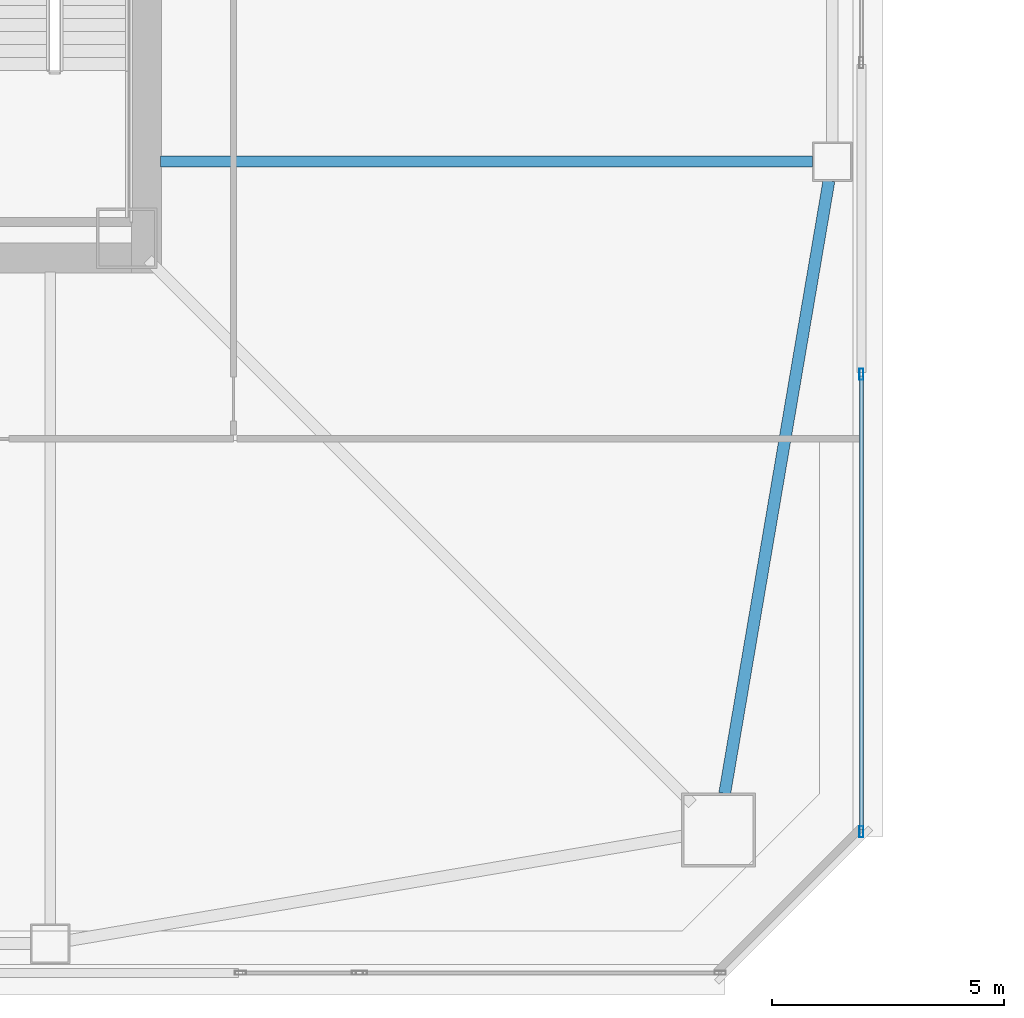
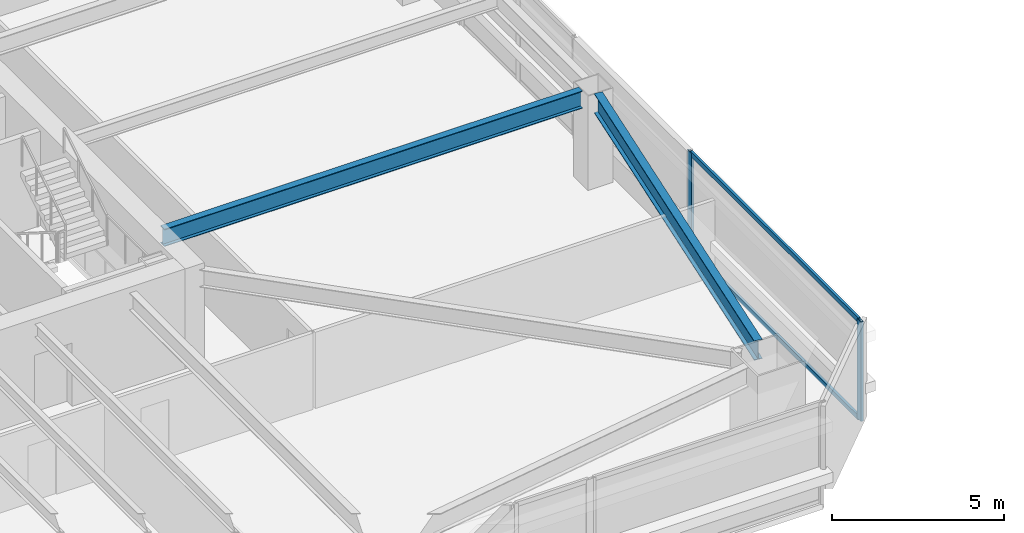
# One storey, part 8 of 45: 4 members, 2 beams, 1 element without a shape of its own.
"""IFC4 building model written with IfcOpenShell, lengths in metres."""

from ifc_helpers import new_model, si_unit, direction, frame, origin, origin_2d, place, context, subcontext, project, spatial, hollow_rectangle, i_section, extrude, material, material_profile, profile_set, type_object, element, aggregate, save


model = new_model("IFC4")

# Units and contexts
model_context = context("Model", 3, precision=1e-05, world=origin(), true_north=direction((0.0, 1.0)))
body_context = subcontext(model_context, "Body", "Model", "MODEL_VIEW")
ifc_project = project(units=[si_unit("LENGTHUNIT", "METRE"), si_unit("AREAUNIT", "SQUARE_METRE"), si_unit("VOLUMEUNIT", "CUBIC_METRE"), si_unit("PLANEANGLEUNIT", "RADIAN"), si_unit("MASSUNIT", "GRAM", prefix="KILO")], contexts=[model_context])

# Site, building, storey
site_placement = place(None, origin())
site = spatial("IfcSite", under=ifc_project, at=site_placement, CompositionType="ELEMENT")
building_placement = place(site_placement, origin())
building = spatial("IfcBuilding", under=site, at=building_placement, Name="Tashvorn Skyway Center", CompositionType="ELEMENT")
storey_placement = place(building_placement, frame((0.0, 0.0, 35.25)))
storey = spatial("IfcBuildingStorey", under=building, at=storey_placement, Name="L08", CompositionType="ELEMENT", Elevation=35.25)

# Beams
ifc_material_1 = material(Name="Steel ASTM A992 Grade 50", Category="steel")
ifc_material_profile_1 = material_profile(ifc_material_1, i_section(OverallWidth=0.22998046875, OverallDepth=0.616943359375, WebThickness=0.01318359375, FlangeThickness=0.022216796875, at=origin_2d()), Name="W24X94")
ifc_profile_set_1 = profile_set([ifc_material_profile_1], Name="Steel ASTM A992 Grade 50")
beam_type_1 = type_object("IfcBeamType", Name="BM-BEAM-W24X94", PredefinedType="BEAM", material=ifc_profile_set_1)
beam_1_placement = place(storey_placement, frame((63.830078125, 26.60009765625, 3.04150390625), z_axis=(-1.0, 0.0, 0.0), x_axis=(0.0, -1.0, 0.0)))
element("IfcBeam", 1, at=beam_1_placement, inside=storey, type_object=beam_type_1, Name="Tower 1 L08 Primary Floor Girder FC-E1", PredefinedType="BEAM", context=body_context, shape_type="SweptSolid", body=[
    extrude(i_section(OverallWidth=0.22998046875, OverallDepth=0.616943359375, WebThickness=0.01318359375, FlangeThickness=0.022216796875, at=origin_2d()), origin(), (0.0, 0.0, 1.0), 14.050048828125),
])
ifc_material_profile_2 = material_profile(ifc_material_1, i_section(OverallWidth=0.256103515625, OverallDepth=0.693115234375, WebThickness=0.014404296875, FlangeThickness=0.023681640625, at=origin_2d()), Name="W27X114")
ifc_profile_set_2 = profile_set([ifc_material_profile_2], Name="Steel ASTM A992 Grade 50")
beam_type_2 = type_object("IfcBeamType", Name="BM-SPANDREL-W27X114", PredefinedType="SPANDREL", material=ifc_profile_set_2)
beam_2_placement = place(storey_placement, frame((61.933349609375, 12.983642578125, 3.00341796875), z_axis=(0.16771792509, 0.985835025551, 0.0), x_axis=(-0.985835025551, 0.16771792509, 0.0)))
element("IfcBeam", 2, at=beam_2_placement, inside=storey, type_object=beam_type_2, Name="Tower 1 L08 Spandrel Beam 04", PredefinedType="SPANDREL", context=body_context, shape_type="SweptSolid", body=[
    extrude(i_section(OverallWidth=0.256103515625, OverallDepth=0.693115234375, WebThickness=0.014404296875, FlangeThickness=0.023681640625, at=origin_2d()), origin(), (0.0, 0.0, 1.0), 13.39208984375),
])

# Curtain wall, members
ifc_material_2 = material(Name="Thermally broken bronze-anodized aluminium 6063-T6", Category="aluminium")
curtain_wall_type = type_object("IfcCurtainWallType", Name="CW-CW-Z1", PredefinedType="NOTDEFINED", material=ifc_material_2)
curtain_wall_placement = place(storey_placement, origin())
curtain_wall = element("IfcCurtainWall", 3, at=curtain_wall_placement, inside=storey, type_object=curtain_wall_type, Name="Tower 1 L08 East Unitised Curtain Wall Glazing Group 3", PredefinedType="NOTDEFINED")
ifc_material_profile_3 = material_profile(ifc_material_2, hollow_rectangle(XDim=0.0849609375, YDim=0.239990234375, WallThickness=0.0048828125, at=origin_2d()), Name="ALU-MULL-85x240")
ifc_profile_set_3 = profile_set([ifc_material_profile_3], Name="Thermally broken bronze-anodized aluminium 6063-T6")
member_type_1 = type_object("IfcMemberType", Name="CWM-CW-Z1", PredefinedType="MULLION", material=ifc_profile_set_3)
member_1_placement = place(storey_placement, frame((64.8798828125, 22.017578125, 0.0), z_axis=(0.0, 0.0, 1.0), x_axis=(1.0, 0.0, 0.0)))
member_1 = element("IfcMember", 4, at=member_1_placement, type_object=member_type_1, Name="CW-Z1 mullion 1", PredefinedType="MULLION", context=body_context, shape_type="SweptSolid", body=[
    extrude(hollow_rectangle(XDim=0.0849609375, YDim=0.239990234375, WallThickness=0.0048828125, at=origin_2d()), origin(), (0.0, 0.0, 1.0), 3.550048828125),
])
member_2_placement = place(storey_placement, frame((64.8798828125, 12.16259765625, 0.0), z_axis=(0.0, 0.0, 1.0), x_axis=(1.0, 0.0, 0.0)))
member_2 = element("IfcMember", 5, at=member_2_placement, type_object=member_type_1, Name="CW-Z1 mullion 2", PredefinedType="MULLION", context=body_context, shape_type="SweptSolid", body=[
    extrude(hollow_rectangle(XDim=0.0849609375, YDim=0.239990234375, WallThickness=0.0048828125, at=origin_2d()), origin(), (0.0, 0.0, 1.0), 3.550048828125),
])
ifc_material_profile_4 = material_profile(ifc_material_2, hollow_rectangle(XDim=0.0849609375, YDim=0.1650390625, WallThickness=0.0048828125, at=origin_2d()), Name="ALU-TRAN-85x165")
ifc_profile_set_4 = profile_set([ifc_material_profile_4], Name="Thermally broken bronze-anodized aluminium 6063-T6")
member_type_2 = type_object("IfcMemberType", Name="CWT-CW-Z1", PredefinedType="USERDEFINED", material=ifc_profile_set_4)
member_3_placement = place(storey_placement, frame((64.8798828125, 21.97509765625, 0.04248046875), z_axis=(0.0, -1.0, 0.0), x_axis=(1.0, 0.0, 0.0)))
member_3 = element("IfcMember", 6, at=member_3_placement, type_object=member_type_2, Name="CW-Z1 transom 1.1", ObjectType="TRANSOM", PredefinedType="USERDEFINED", context=body_context, shape_type="SweptSolid", body=[
    extrude(hollow_rectangle(XDim=0.0849609375, YDim=0.1650390625, WallThickness=0.0048828125, at=origin_2d()), origin(), (0.0, 0.0, 1.0), 9.77001953125),
])
member_4_placement = place(storey_placement, frame((64.8798828125, 21.97509765625, 3.507568359375), z_axis=(0.0, -1.0, 0.0), x_axis=(1.0, 0.0, 0.0)))
member_4 = element("IfcMember", 7, at=member_4_placement, type_object=member_type_2, Name="CW-Z1 transom 1.2", ObjectType="TRANSOM", PredefinedType="USERDEFINED", context=body_context, shape_type="SweptSolid", body=[
    extrude(hollow_rectangle(XDim=0.0849609375, YDim=0.1650390625, WallThickness=0.0048828125, at=origin_2d()), origin(), (0.0, 0.0, 1.0), 9.77001953125),
])
aggregate(curtain_wall, [member_1, member_2, member_3, member_4])

save(model, "model.ifc")
